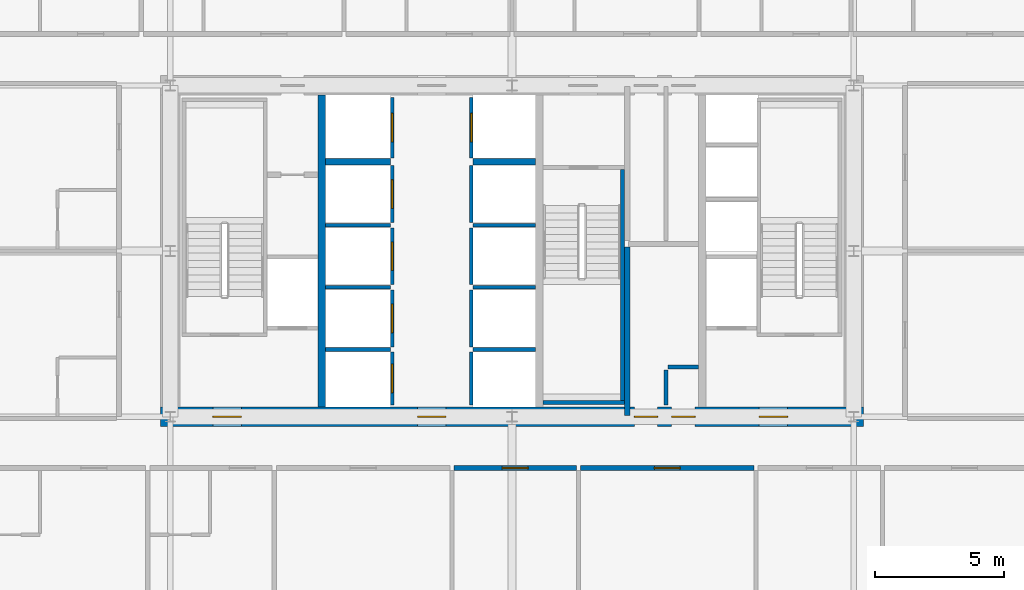
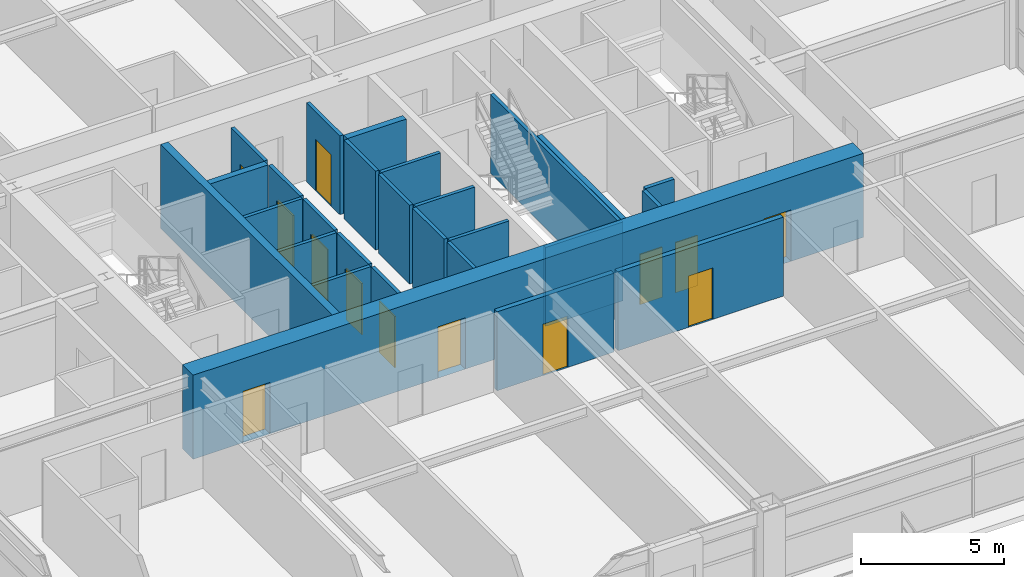
# One storey, part 39 of 43: 27 walls, 13 doors, 13 openings.
"""IFC4 building model written with IfcOpenShell, lengths in metres."""

import ifcopenshell
import ifcopenshell.guid

model = None  # the IFC model being written
_history = None  # IfcOwnerHistory: only IFC2X3 demands one
_inside = {}  # id of a spatial element -> (the spatial element, [elements in it])
_under = {}  # id of a project, library or spatial element -> (it, [spatial elements below it])
_declared = {}  # id of a project -> (the project, [libraries it declares])
_typed = {}  # id of a type object -> (the type object, [elements of that type])
_made_of = {}  # id of a material, layer set ... -> (it, [elements and type objects made of it])


def new_model(schema):
    """Start an empty IFC model of exactly this schema.

    Asked for "IFC4X3", IfcOpenShell would pick the latest addendum, in which some entities
    have other attributes; the version numbers below select the first issue.
    IFC2X3 requires an IfcOwnerHistory on every rooted entity: one is made here for all.
    """
    global model, _history
    if schema == "IFC4X3":
        model = ifcopenshell.file(schema_version=(4, 3, 0, 0))
    else:
        model = ifcopenshell.file(schema=schema)
    _inside.clear()
    _under.clear()
    _declared.clear()
    _typed.clear()
    _made_of.clear()
    _history = None
    if model.schema == "IFC2X3":
        org = make("IfcOrganization", Name="unknown")
        user = make(
            "IfcPersonAndOrganization",
            ThePerson=make("IfcPerson", FamilyName="unknown"),
            TheOrganization=org,
        )
        app = make(
            "IfcApplication",
            ApplicationDeveloper=org,
            Version="unknown",
            ApplicationFullName="unknown",
            ApplicationIdentifier="unknown",
        )
        _history = make(
            "IfcOwnerHistory",
            OwningUser=user,
            OwningApplication=app,
            ChangeAction="ADDED",
            CreationDate=0,
        )
    return model


def make(cls, **values):
    """One entity of the class cls with the attributes given. An attribute that is None is left unset."""
    return model.create_entity(
        cls, **{name: value for name, value in values.items() if value is not None}
    )


def rooted(cls, **values):
    """An entity with a GlobalId (a new one), such as an element, a storey or a relation."""
    return make(cls, GlobalId=ifcopenshell.guid.new(), OwnerHistory=_history, **values)


def si_unit(unit_type, name, prefix=None):
    """IfcSIUnit, for example si_unit("LENGTHUNIT", "METRE", prefix="MILLI")."""
    return make("IfcSIUnit", UnitType=unit_type, Prefix=prefix, Name=name)


def assignment(units):
    """IfcUnitAssignment: the units of a project."""
    return None if units is None else make("IfcUnitAssignment", Units=units)


def point(xyz):
    """IfcCartesianPoint."""
    return None if xyz is None else make("IfcCartesianPoint", Coordinates=xyz)


def direction(xyz):
    """IfcDirection."""
    return None if xyz is None else make("IfcDirection", DirectionRatios=xyz)


def frame(location, z_axis=None, x_axis=None):
    """IfcAxis2Placement3D, a coordinate frame: its origin and axes. An axis left out is left unset."""
    return make(
        "IfcAxis2Placement3D",
        Location=point(location),
        Axis=direction(z_axis),
        RefDirection=direction(x_axis),
    )


def frame_2d(location, x_axis=None):
    """IfcAxis2Placement2D, a coordinate frame in the plane: its origin and x axis."""
    return make(
        "IfcAxis2Placement2D", Location=point(location), RefDirection=direction(x_axis)
    )


def origin():
    """The frame at (0, 0, 0) with its axes left unset."""
    return frame((0.0, 0.0, 0.0))


def place(relative_to, where):
    """IfcLocalPlacement: puts the frame where relative to a parent placement (None: the world)."""
    return make(
        "IfcLocalPlacement", PlacementRelTo=relative_to, RelativePlacement=where
    )


def context(
    kind, dimensions, precision=None, world=None, true_north=None, identifier=None
):
    """IfcGeometricRepresentationContext, for example the 3D "Model" context."""
    return make(
        "IfcGeometricRepresentationContext",
        ContextIdentifier=identifier,
        ContextType=kind,
        CoordinateSpaceDimension=dimensions,
        Precision=precision,
        WorldCoordinateSystem=world,
        TrueNorth=true_north,
    )


def subcontext(parent, identifier, kind, view, scale=None):
    """IfcGeometricRepresentationSubContext, for example "Body" below "Model"."""
    return make(
        "IfcGeometricRepresentationSubContext",
        ContextIdentifier=identifier,
        ContextType=kind,
        ParentContext=parent,
        TargetScale=scale,
        TargetView=view,
    )


def project(units=None, contexts=None):
    """IfcProject with its units and contexts."""
    return rooted(
        "IfcProject",
        Name="project",
        RepresentationContexts=contexts,
        UnitsInContext=assignment(units),
    )


def spatial(cls, under=None, at=None, **own):
    """A site, building, storey or space (cls), placed at a placement, below another one or the project."""
    s = rooted(cls, ObjectPlacement=at, **own)
    if under is not None:
        _under.setdefault(under.id(), (under, []))[1].append(s)
    return s


def profile(cls, at=None, kind="AREA", **sizes):
    """A parametric profile (cls). Its sizes go by their IFC names, for example OverallWidth=200.0."""
    return make(cls, ProfileType=kind, Position=at, **sizes)


def rectangle(**sizes):
    """IfcRectangleProfileDef."""
    return profile("IfcRectangleProfileDef", **sizes)


def extrude(swept, where, along, depth):
    """IfcExtrudedAreaSolid: the profile swept, set in the frame where, extruded along a direction by depth."""
    return make(
        "IfcExtrudedAreaSolid",
        SweptArea=swept,
        Position=where,
        ExtrudedDirection=direction(along),
        Depth=depth,
    )


def shape(context_of_items, identifier, shape_type, items):
    """IfcShapeRepresentation: the items that make up one representation, for example the "Body"."""
    return make(
        "IfcShapeRepresentation",
        ContextOfItems=context_of_items,
        RepresentationIdentifier=identifier,
        RepresentationType=shape_type,
        Items=items,
    )


def source(mapping_origin, context_of_items, identifier, shape_type, items):
    """IfcRepresentationMap: a shape defined once, which mapped items show again and again."""
    return make(
        "IfcRepresentationMap",
        MappingOrigin=mapping_origin,
        MappedRepresentation=shape(context_of_items, identifier, shape_type, items),
    )


def transform(
    local_origin,
    x_axis=None,
    y_axis=None,
    z_axis=None,
    scale=None,
    scale2=None,
    scale3=None,
    uniform=True,
):
    """IfcCartesianTransformationOperator3D, or its non-uniform kind. x_axis, y_axis, z_axis: its Axis1, 2, 3."""
    if uniform:
        return make(
            "IfcCartesianTransformationOperator3D",
            Axis1=direction(x_axis),
            Axis2=direction(y_axis),
            LocalOrigin=point(local_origin),
            Scale=scale,
            Axis3=direction(z_axis),
        )
    return make(
        "IfcCartesianTransformationOperator3DnonUniform",
        Axis1=direction(x_axis),
        Axis2=direction(y_axis),
        LocalOrigin=point(local_origin),
        Scale=scale,
        Axis3=direction(z_axis),
        Scale2=scale2,
        Scale3=scale3,
    )


def mapped(mapping_source, mapping_target):
    """IfcMappedItem: shows the shape of a source again, moved by a transform."""
    return make(
        "IfcMappedItem", MappingSource=mapping_source, MappingTarget=mapping_target
    )


def material(Name=None, Category=None):
    """IfcMaterial."""
    return make("IfcMaterial", Name=Name, Category=Category)


def layer(
    of_material, thickness, ventilated=None, Name=None, Category=None, Priority=None
):
    """IfcMaterialLayer: one layer of a wall or slab, of a material (None: an air gap)."""
    return make(
        "IfcMaterialLayer",
        Material=of_material,
        LayerThickness=thickness,
        IsVentilated=ventilated,
        Name=Name,
        Category=Category,
        Priority=Priority,
    )


def layer_set(layers, Name=None):
    """IfcMaterialLayerSet."""
    return make("IfcMaterialLayerSet", MaterialLayers=layers, LayerSetName=Name)


def made_of(thing, what):
    """Note that an element or type object is made of a material, layer set ...; save() writes the relation."""
    if what is not None:
        _made_of.setdefault(what.id(), (what, []))[1].append(thing)
    return thing


def type_object(cls, material=None, **own):
    """A type object (cls), such as IfcWallType, which elements share."""
    return made_of(rooted(cls, **own), material)


def element(
    cls,
    number,
    at=None,
    inside=None,
    cuts=None,
    type_object=None,
    material=None,
    context=None,
    identifier="Body",
    shape_type=None,
    held_by="IfcProductDefinitionShape",
    body=None,
    shapes=None,
    **own,
):
    """One element of the class cls, such as IfcWall. Its Tag is "e" and its number.

    at: its placement. inside: the storey or other place that contains it. cuts: it is an
    opening in that element (IfcRelVoidsElement). A single representation is given by context,
    identifier, shape_type and body (its items); several are given by shapes. held_by: the class
    of the entity that holds the representations. save() writes the other relations.
    """
    e = rooted(cls, Tag="e%d" % number, ObjectPlacement=at, **own)
    if body is not None:
        shapes = [shape(context, identifier, shape_type, body)]
    if shapes is not None:
        e.Representation = make(held_by, Representations=shapes)
    if inside is not None:
        _inside.setdefault(inside.id(), (inside, []))[1].append(e)
    if cuts is not None:
        rooted(
            "IfcRelVoidsElement", RelatingBuildingElement=cuts, RelatedOpeningElement=e
        )
    if type_object is not None:
        _typed.setdefault(type_object.id(), (type_object, []))[1].append(e)
    return made_of(e, material)


def fill(opening, filler):
    """IfcRelFillsElement: the door or window that sits in an opening."""
    return rooted(
        "IfcRelFillsElement",
        RelatingOpeningElement=opening,
        RelatedBuildingElement=filler,
    )


def aggregate(whole, parts):
    """IfcRelAggregates: a whole, such as a stair, and the parts it consists of."""
    return rooted("IfcRelAggregates", RelatingObject=whole, RelatedObjects=parts)


def save(model, path):
    """Write the relations noted so far, then the file.

    IfcRelAggregates (storeys below a building ...), IfcRelContainedInSpatialStructure (elements
    in a storey), IfcRelDefinesByType, IfcRelAssociatesMaterial and IfcRelDeclares: one each for
    every whole, place, type object, material and project.
    """
    for whole, parts in _under.values():
        aggregate(whole, parts)
    for where, things in _inside.values():
        rooted(
            "IfcRelContainedInSpatialStructure",
            RelatedElements=things,
            RelatingStructure=where,
        )
    for kind, things in _typed.values():
        rooted("IfcRelDefinesByType", RelatedObjects=things, RelatingType=kind)
    for what, things in _made_of.values():
        rooted("IfcRelAssociatesMaterial", RelatedObjects=things, RelatingMaterial=what)
    for by, libraries in _declared.values():
        rooted("IfcRelDeclares", RelatingContext=by, RelatedDefinitions=libraries)
    model.write(path)


model = new_model("IFC4")

# Units and contexts
model_context = context("Model", 3, precision=1e-05, world=origin(), true_north=direction((0.0, 1.0)))
body_context = subcontext(model_context, "Body", "Model", "MODEL_VIEW")
ifc_project = project(units=[si_unit("LENGTHUNIT", "METRE"), si_unit("AREAUNIT", "SQUARE_METRE"), si_unit("VOLUMEUNIT", "CUBIC_METRE"), si_unit("PLANEANGLEUNIT", "RADIAN"), si_unit("MASSUNIT", "GRAM", prefix="KILO"), si_unit("THERMODYNAMICTEMPERATUREUNIT", "KELVIN"), si_unit("POWERUNIT", "WATT")], contexts=[model_context])

# Site, building, storey
site_placement = place(None, origin())
site = spatial("IfcSite", under=ifc_project, at=site_placement, CompositionType="ELEMENT")
building_placement = place(site_placement, origin())
building = spatial("IfcBuilding", under=site, at=building_placement, Name="Yuzanri Waterfront Tower", CompositionType="ELEMENT")
storey_placement = place(building_placement, frame((0.0, 0.0, 159.60009765625)))
storey = spatial("IfcBuildingStorey", under=building, at=storey_placement, Name="L42", CompositionType="ELEMENT", Elevation=159.60009765625)

# Wall, openings, doors
ifc_material_1 = material(Name="Concrete C55", Category="concrete")
ifc_layer_1 = layer(ifc_material_1, 0.75)
ifc_layer_set_1 = layer_set([ifc_layer_1], Name="Concrete C55")
wall_type_1 = type_object("IfcWallType", Name="Concrete C55 Low-Mid Zone Core Shear Wall 750", PredefinedType="SHEAR", material=ifc_layer_set_1)
wall_1_placement = place(storey_placement, frame((23.425048828125, 19.39990234375, 0.0), z_axis=(0.0, 0.0, 1.0), x_axis=(1.0, 0.0, 0.0)))
wall_1 = element("IfcWall", 1, at=wall_1_placement, inside=storey, type_object=wall_type_1, Name="L42 Core South Shear Wall", PredefinedType="SHEAR", context=body_context, shape_type="SweptSolid", body=[
    extrude(rectangle(XDim=27.14990234375, YDim=0.75, at=frame_2d((13.574951171875, 0.0))), origin(), (0.0, 0.0, 1.0), 3.599853515625),
])
opening_1_placement = place(wall_1_placement, frame((2.02490234375, 0.0, 0.0)))
opening_1 = element("IfcOpeningElement", 2, at=opening_1_placement, cuts=wall_1, Name="Opening FD-1100", PredefinedType="OPENING", context=body_context, shape_type="SweptSolid", body=[
    extrude(rectangle(XDim=1.10009765625, YDim=2.199951171875, at=frame_2d((0.550048828125, 1.10009765625))), frame((0.0, 0.389892578125, 0.0), z_axis=(0.0, -1.0, 0.0), x_axis=(1.0, 0.0, 0.0)), (0.0, 0.0, 1.0), 0.77978515625),
])
opening_2_placement = place(wall_1_placement, frame((9.925048828125, 0.0, 0.0)))
opening_2 = element("IfcOpeningElement", 3, at=opening_2_placement, cuts=wall_1, Name="Opening FD-1100", PredefinedType="OPENING", context=body_context, shape_type="SweptSolid", body=[
    extrude(rectangle(XDim=1.10009765625, YDim=2.199951171875, at=frame_2d((0.550048828125, 1.10009765625))), frame((0.0, 0.389892578125, 0.0), z_axis=(0.0, -1.0, 0.0), x_axis=(1.0, 0.0, 0.0)), (0.0, 0.0, 1.0), 0.77978515625),
])
opening_3_placement = place(wall_1_placement, frame((23.125, 0.0, 0.0)))
opening_3 = element("IfcOpeningElement", 4, at=opening_3_placement, cuts=wall_1, Name="Opening FD-1100", PredefinedType="OPENING", context=body_context, shape_type="SweptSolid", body=[
    extrude(rectangle(XDim=1.10009765625, YDim=2.199951171875, at=frame_2d((0.550048828125, 1.10009765625))), frame((0.0, 0.389892578125, 0.0), z_axis=(0.0, -1.0, 0.0), x_axis=(1.0, 0.0, 0.0)), (0.0, 0.0, 1.0), 0.77978515625),
])
opening_4_placement = place(wall_1_placement, frame((19.7451171875, 0.0, 0.0)))
opening_4 = element("IfcOpeningElement", 5, at=opening_4_placement, cuts=wall_1, Name="Opening FD-0900", PredefinedType="OPENING", context=body_context, shape_type="SweptSolid", body=[
    extrude(rectangle(XDim=0.89990234375, YDim=2.14990234375, at=frame_2d((0.449951171875, 1.074951171875))), frame((0.0, 0.389892578125, 0.0), z_axis=(0.0, -1.0, 0.0), x_axis=(1.0, 0.0, 0.0)), (0.0, 0.0, 1.0), 0.77978515625),
])
opening_5_placement = place(wall_1_placement, frame((18.304931640625, 0.0, 0.0)))
opening_5 = element("IfcOpeningElement", 6, at=opening_5_placement, cuts=wall_1, Name="Opening FD-0900", PredefinedType="OPENING", context=body_context, shape_type="SweptSolid", body=[
    extrude(rectangle(XDim=0.89990234375, YDim=2.14990234375, at=frame_2d((0.449951171875, 1.074951171875))), frame((0.0, 0.389892578125, 0.0), z_axis=(0.0, -1.0, 0.0), x_axis=(1.0, 0.0, 0.0)), (0.0, 0.0, 1.0), 0.77978515625),
])
ifc_material_2 = material(Name="Painted Galvanized Fire Steel", Category="steel")
door_type_1 = type_object("IfcDoorType", Name="Smoke-Proof Stair and Lobby Fire Door 1100x2200", OperationType="NOTDEFINED", PredefinedType="DOOR", material=ifc_material_2)
shared_shape_1 = source(origin(), body_context, "Body", "SweptSolid", [
    extrude(rectangle(XDim=1.10009765625, YDim=2.199951171875, at=frame_2d((0.550048828125, 1.10009765625))), frame((0.0, 0.02490234375, 0.0), z_axis=(0.0, -1.0, 0.0), x_axis=(1.0, 0.0, 0.0)), (0.0, 0.0, 1.0), 0.050048828125),
])
door_1_placement = place(opening_1_placement, origin())
door_1 = element("IfcDoor", 7, at=door_1_placement, inside=storey, type_object=door_type_1, Name="L42 West Firefighting Lobby Door", OperationType="SINGLE_SWING_LEFT", OverallHeight=2.199951171875, OverallWidth=1.10009765625, PredefinedType="DOOR", context=body_context, shape_type="MappedRepresentation", body=[
    mapped(shared_shape_1, transform((0.0, 0.0, 0.0), scale=1.0)),
])
fill(opening_1, door_1)
door_2_placement = place(opening_2_placement, origin())
door_2 = element("IfcDoor", 8, at=door_2_placement, inside=storey, type_object=door_type_1, Name="L42 Central Lift Lobby South Door", OperationType="SINGLE_SWING_RIGHT", OverallHeight=2.199951171875, OverallWidth=1.10009765625, PredefinedType="DOOR", context=body_context, shape_type="MappedRepresentation", body=[
    mapped(shared_shape_1, transform((0.0, 0.0, 0.0), scale=1.0)),
])
fill(opening_2, door_2)
door_3_placement = place(opening_3_placement, origin())
door_3 = element("IfcDoor", 9, at=door_3_placement, inside=storey, type_object=door_type_1, Name="L42 East Firefighting Lobby Door", OperationType="SINGLE_SWING_LEFT", OverallHeight=2.199951171875, OverallWidth=1.10009765625, PredefinedType="DOOR", context=body_context, shape_type="MappedRepresentation", body=[
    mapped(shared_shape_1, transform((0.0, 0.0, 0.0), scale=1.0)),
])
fill(opening_3, door_3)
ifc_material_3 = material(Name="Painted Galvanized Fire Steel", Category="steel")
door_type_2 = type_object("IfcDoorType", Name="Riser and Service Room Fire Door 900x2150", OperationType="NOTDEFINED", PredefinedType="DOOR", material=ifc_material_3)
shared_shape_2 = source(origin(), body_context, "Body", "SweptSolid", [
    extrude(rectangle(XDim=0.89990234375, YDim=2.14990234375, at=frame_2d((0.449951171875, 1.074951171875))), frame((0.0, 0.02490234375, 0.0), z_axis=(0.0, -1.0, 0.0), x_axis=(1.0, 0.0, 0.0)), (0.0, 0.0, 1.0), 0.050048828125),
])
door_4_placement = place(opening_4_placement, origin())
door_4 = element("IfcDoor", 10, at=door_4_placement, inside=storey, type_object=door_type_2, Name="L42 East Wet Riser Door", OperationType="SINGLE_SWING_RIGHT", OverallHeight=2.14990234375, OverallWidth=0.89990234375, PredefinedType="DOOR", context=body_context, shape_type="MappedRepresentation", body=[
    mapped(shared_shape_2, transform((0.0, 0.0, 0.0), scale=1.0)),
])
fill(opening_4, door_4)
door_5_placement = place(opening_5_placement, origin())
door_5 = element("IfcDoor", 11, at=door_5_placement, inside=storey, type_object=door_type_2, Name="L42 Housekeeping Room", OperationType="SINGLE_SWING_LEFT", OverallHeight=2.14990234375, OverallWidth=0.89990234375, PredefinedType="DOOR", context=body_context, shape_type="MappedRepresentation", body=[
    mapped(shared_shape_2, transform((0.0, 0.0, 0.0), scale=1.0)),
])
fill(opening_5, door_5)

# Wall, opening, door
ifc_material_4 = material(Name="Concrete C40", Category="concrete")
ifc_layer_2 = layer(ifc_material_4, 0.139892578125)
ifc_layer_set_2 = layer_set([ifc_layer_2], Name="Concrete C40")
wall_type_2 = type_object("IfcWallType", Name="Core Stair Liner and Hoistway Shaft Wall 140", PredefinedType="SOLIDWALL", material=ifc_layer_set_2)
wall_2_placement = place(storey_placement, frame((32.3701171875, 19.860107421875, 0.0), z_axis=(0.0, 0.0, 1.0), x_axis=(0.0, 1.0, 0.0)))
wall_2 = element("IfcWall", 12, at=wall_2_placement, inside=storey, type_object=wall_type_2, Name="L42 Lift PL-01 Front Shaft Wall", PredefinedType="SOLIDWALL", context=body_context, shape_type="SweptSolid", body=[
    extrude(rectangle(XDim=2.039794921875, YDim=0.139892578125, at=frame_2d((1.02001953125, 0.0))), origin(), (0.0, 0.0, 1.0), 3.3798828125),
])
opening_6_placement = place(wall_2_placement, frame((0.469970703125, 0.0, 0.0)))
opening_6 = element("IfcOpeningElement", 13, at=opening_6_placement, cuts=wall_2, Name="Opening LD-PL-01", PredefinedType="OPENING", context=body_context, shape_type="SweptSolid", body=[
    extrude(rectangle(XDim=1.10009765625, YDim=2.199951171875, at=frame_2d((0.550048828125, 1.10009765625))), frame((0.0, 0.0849609375, 0.0), z_axis=(0.0, -1.0, 0.0), x_axis=(1.0, 0.0, 0.0)), (0.0, 0.0, 1.0), 0.169677734375),
])
ifc_material_5 = material(Name="Brushed Bronze and Stainless Steel Cab", Category="steel")
door_type_3 = type_object("IfcDoorType", Name="Center-Parting Bronze Lift Landing Sliding Door 1100x2200", OperationType="NOTDEFINED", PredefinedType="DOOR", material=ifc_material_5)
shared_shape_3 = source(origin(), body_context, "Body", "SweptSolid", [
    extrude(rectangle(XDim=1.10009765625, YDim=2.199951171875, at=frame_2d((0.550048828125, 1.10009765625))), frame((0.0, 0.02490234375, 0.0), z_axis=(0.0, -1.0, 0.0), x_axis=(1.0, 0.0, 0.0)), (0.0, 0.0, 1.0), 0.050048828125),
])
door_6_placement = place(opening_6_placement, origin())
door_6 = element("IfcDoor", 14, at=door_6_placement, inside=storey, type_object=door_type_3, Name="L42 PL-01 Lift Landing Sliding Door", OperationType="SLIDING_TO_LEFT", OverallHeight=2.199951171875, OverallWidth=1.10009765625, PredefinedType="DOOR", context=body_context, shape_type="MappedRepresentation", body=[
    mapped(shared_shape_3, transform((0.0, 0.0, 0.0), scale=1.0)),
])
fill(opening_6, door_6)

wall_3_placement = place(storey_placement, frame((32.3701171875, 22.10009765625, 0.0), z_axis=(0.0, 0.0, 1.0), x_axis=(0.0, 1.0, 0.0)))
wall_3 = element("IfcWall", 15, at=wall_3_placement, inside=storey, type_object=wall_type_2, Name="L42 Lift PL-02 Front Shaft Wall", PredefinedType="SOLIDWALL", context=body_context, shape_type="SweptSolid", body=[
    extrude(rectangle(XDim=2.199951171875, YDim=0.139892578125, at=frame_2d((1.10009765625, 0.0))), origin(), (0.0, 0.0, 1.0), 3.3798828125),
])
opening_7_placement = place(wall_3_placement, frame((0.550048828125, 0.0, 0.0)))
opening_7 = element("IfcOpeningElement", 16, at=opening_7_placement, cuts=wall_3, Name="Opening LD-PL-02", PredefinedType="OPENING", context=body_context, shape_type="SweptSolid", body=[
    extrude(rectangle(XDim=1.10009765625, YDim=2.199951171875, at=frame_2d((0.550048828125, 1.10009765625))), frame((0.0, 0.0849609375, 0.0), z_axis=(0.0, -1.0, 0.0), x_axis=(1.0, 0.0, 0.0)), (0.0, 0.0, 1.0), 0.169677734375),
])
door_7_placement = place(opening_7_placement, origin())
door_7 = element("IfcDoor", 17, at=door_7_placement, inside=storey, type_object=door_type_3, Name="L42 PL-02 Lift Landing Sliding Door", OperationType="SLIDING_TO_RIGHT", OverallHeight=2.199951171875, OverallWidth=1.10009765625, PredefinedType="DOOR", context=body_context, shape_type="MappedRepresentation", body=[
    mapped(shared_shape_3, transform((0.0, 0.0, 0.0), scale=1.0)),
])
fill(opening_7, door_7)

wall_4_placement = place(storey_placement, frame((32.3701171875, 24.5, 0.0), z_axis=(0.0, 0.0, 1.0), x_axis=(0.0, 1.0, 0.0)))
wall_4 = element("IfcWall", 18, at=wall_4_placement, inside=storey, type_object=wall_type_2, Name="L42 Lift PL-03 Front Shaft Wall", PredefinedType="SOLIDWALL", context=body_context, shape_type="SweptSolid", body=[
    extrude(rectangle(XDim=2.199951171875, YDim=0.139892578125, at=frame_2d((1.10009765625, 0.0))), origin(), (0.0, 0.0, 1.0), 3.3798828125),
])
opening_8_placement = place(wall_4_placement, frame((0.550048828125, 0.0, 0.0)))
opening_8 = element("IfcOpeningElement", 19, at=opening_8_placement, cuts=wall_4, Name="Opening LD-PL-03", PredefinedType="OPENING", context=body_context, shape_type="SweptSolid", body=[
    extrude(rectangle(XDim=1.10009765625, YDim=2.199951171875, at=frame_2d((0.550048828125, 1.10009765625))), frame((0.0, 0.0849609375, 0.0), z_axis=(0.0, -1.0, 0.0), x_axis=(1.0, 0.0, 0.0)), (0.0, 0.0, 1.0), 0.169677734375),
])
door_8_placement = place(opening_8_placement, origin())
door_8 = element("IfcDoor", 20, at=door_8_placement, inside=storey, type_object=door_type_3, Name="L42 PL-03 Lift Landing Sliding Door", OperationType="SLIDING_TO_LEFT", OverallHeight=2.199951171875, OverallWidth=1.10009765625, PredefinedType="DOOR", context=body_context, shape_type="MappedRepresentation", body=[
    mapped(shared_shape_3, transform((0.0, 0.0, 0.0), scale=1.0)),
])
fill(opening_8, door_8)

wall_5_placement = place(storey_placement, frame((32.3701171875, 26.89990234375, 0.0), z_axis=(0.0, 0.0, 1.0), x_axis=(0.0, 1.0, 0.0)))
wall_5 = element("IfcWall", 21, at=wall_5_placement, inside=storey, type_object=wall_type_2, Name="L42 Lift PL-04 Front Shaft Wall", PredefinedType="SOLIDWALL", context=body_context, shape_type="SweptSolid", body=[
    extrude(rectangle(XDim=2.2001953125, YDim=0.139892578125, at=frame_2d((1.10009765625, 0.0))), origin(), (0.0, 0.0, 1.0), 3.3798828125),
])
opening_9_placement = place(wall_5_placement, frame((0.550048828125, 0.0, 0.0)))
opening_9 = element("IfcOpeningElement", 22, at=opening_9_placement, cuts=wall_5, Name="Opening LD-PL-04", PredefinedType="OPENING", context=body_context, shape_type="SweptSolid", body=[
    extrude(rectangle(XDim=1.10009765625, YDim=2.199951171875, at=frame_2d((0.550048828125, 1.10009765625))), frame((0.0, 0.0849609375, 0.0), z_axis=(0.0, -1.0, 0.0), x_axis=(1.0, 0.0, 0.0)), (0.0, 0.0, 1.0), 0.169677734375),
])
door_9_placement = place(opening_9_placement, origin())
door_9 = element("IfcDoor", 23, at=door_9_placement, inside=storey, type_object=door_type_3, Name="L42 PL-04 Lift Landing Sliding Door", OperationType="SLIDING_TO_RIGHT", OverallHeight=2.199951171875, OverallWidth=1.10009765625, PredefinedType="DOOR", context=body_context, shape_type="MappedRepresentation", body=[
    mapped(shared_shape_3, transform((0.0, 0.0, 0.0), scale=1.0)),
])
fill(opening_9, door_9)

wall_6_placement = place(storey_placement, frame((32.3701171875, 29.39990234375, 0.0), z_axis=(0.0, 0.0, 1.0), x_axis=(0.0, 1.0, 0.0)))
wall_6 = element("IfcWall", 24, at=wall_6_placement, inside=storey, type_object=wall_type_2, Name="L42 Lift SL-01 Front Shaft Wall", PredefinedType="SOLIDWALL", context=body_context, shape_type="SweptSolid", body=[
    extrude(rectangle(XDim=2.340087890625, YDim=0.139892578125, at=frame_2d((1.169921875, 0.0))), origin(), (0.0, 0.0, 1.0), 3.3798828125),
])
opening_10_placement = place(wall_6_placement, frame((0.6201171875, 0.0, 0.0)))
opening_10 = element("IfcOpeningElement", 25, at=opening_10_placement, cuts=wall_6, Name="Opening LD-SL-01", PredefinedType="OPENING", context=body_context, shape_type="SweptSolid", body=[
    extrude(rectangle(XDim=1.10009765625, YDim=2.199951171875, at=frame_2d((0.550048828125, 1.10009765625))), frame((0.0, 0.0849609375, 0.0), z_axis=(0.0, -1.0, 0.0), x_axis=(1.0, 0.0, 0.0)), (0.0, 0.0, 1.0), 0.169677734375),
])
door_10_placement = place(opening_10_placement, origin())
door_10 = element("IfcDoor", 26, at=door_10_placement, inside=storey, type_object=door_type_3, Name="L42 SL-01 Lift Landing Sliding Door", OperationType="SLIDING_TO_LEFT", OverallHeight=2.199951171875, OverallWidth=1.10009765625, PredefinedType="DOOR", context=body_context, shape_type="MappedRepresentation", body=[
    mapped(shared_shape_3, transform((0.0, 0.0, 0.0), scale=1.0)),
])
fill(opening_10, door_10)

wall_7_placement = place(storey_placement, frame((35.429931640625, 29.39990234375, 0.0), z_axis=(0.0, 0.0, 1.0), x_axis=(0.0, 1.0, 0.0)))
wall_7 = element("IfcWall", 27, at=wall_7_placement, inside=storey, type_object=wall_type_2, Name="L42 Lift SL-02 Front Shaft Wall", PredefinedType="SOLIDWALL", context=body_context, shape_type="SweptSolid", body=[
    extrude(rectangle(XDim=2.340087890625, YDim=0.139892578125, at=frame_2d((1.169921875, 0.0))), origin(), (0.0, 0.0, 1.0), 3.3798828125),
])
opening_11_placement = place(wall_7_placement, frame((0.6201171875, 0.0, 0.0)))
opening_11 = element("IfcOpeningElement", 28, at=opening_11_placement, cuts=wall_7, Name="Opening LD-SL-02", PredefinedType="OPENING", context=body_context, shape_type="SweptSolid", body=[
    extrude(rectangle(XDim=1.10009765625, YDim=2.199951171875, at=frame_2d((0.550048828125, 1.10009765625))), frame((0.0, 0.0849609375, 0.0), z_axis=(0.0, -1.0, 0.0), x_axis=(1.0, 0.0, 0.0)), (0.0, 0.0, 1.0), 0.169677734375),
])
door_11_placement = place(opening_11_placement, origin())
door_11 = element("IfcDoor", 29, at=door_11_placement, inside=storey, type_object=door_type_3, Name="L42 SL-02 Lift Landing Sliding Door", OperationType="SLIDING_TO_RIGHT", OverallHeight=2.199951171875, OverallWidth=1.10009765625, PredefinedType="DOOR", context=body_context, shape_type="MappedRepresentation", body=[
    mapped(shared_shape_3, transform((0.0, 0.0, 0.0), scale=1.0)),
])
fill(opening_11, door_11)

ifc_material_6 = material(Name="Autoclaved Aerated Concrete Blockwork", Category="masonry")
ifc_layer_3 = layer(ifc_material_6, 0.199951171875)
ifc_layer_set_3 = layer_set([ifc_layer_3], Name="Autoclaved Aerated Concrete Blockwork")
wall_type_3 = type_object("IfcWallType", Name="Corridor and Unit Party Fire Wall 200", PredefinedType="PARTITIONING", material=ifc_layer_set_3)
wall_8_placement = place(storey_placement, frame((34.760009765625, 17.419921875, 0.0), z_axis=(0.0, 0.0, 1.0), x_axis=(1.0, 0.0, 0.0)))
wall_8 = element("IfcWall", 30, at=wall_8_placement, inside=storey, type_object=wall_type_3, Name="L42 Partition UW-L42-S4-CN", PredefinedType="PARTITIONING", context=body_context, shape_type="SweptSolid", body=[
    extrude(rectangle(XDim=4.72705078125, YDim=0.199951171875, at=frame_2d((2.363525390625, 0.0))), origin(), (0.0, 0.0, 1.0), 3.3798828125),
])
opening_12_placement = place(wall_8_placement, frame((1.863037109375, 0.0, 0.0)))
opening_12 = element("IfcOpeningElement", 31, at=opening_12_placement, cuts=wall_8, Name="Opening FD-1000", PredefinedType="OPENING", context=body_context, shape_type="SweptSolid", body=[
    extrude(rectangle(XDim=1.0, YDim=2.199951171875, at=frame_2d((0.5, 1.10009765625))), frame((0.0, 0.11474609375, 0.0), z_axis=(0.0, -1.0, 0.0), x_axis=(1.0, 0.0, 0.0)), (0.0, 0.0, 1.0), 0.229736328125),
])
ifc_material_7 = material(Name="Engineered Oak Fire-Rated Timber", Category="wood")
door_type_4 = type_object("IfcDoorType", Name="Guestroom and Apartment Entrance Fire Door 1000x2200", OperationType="NOTDEFINED", PredefinedType="DOOR", material=ifc_material_7)
shared_shape_4 = source(origin(), body_context, "Body", "SweptSolid", [
    extrude(rectangle(XDim=1.0, YDim=2.199951171875, at=frame_2d((0.5, 1.10009765625))), frame((0.0, 0.02490234375, 0.0), z_axis=(0.0, -1.0, 0.0), x_axis=(1.0, 0.0, 0.0)), (0.0, 0.0, 1.0), 0.050048828125),
])
door_12_placement = place(opening_12_placement, origin())
door_12 = element("IfcDoor", 32, at=door_12_placement, inside=storey, type_object=door_type_4, Name="L42 Chamber Music Room Entrance Door", OperationType="SINGLE_SWING_LEFT", OverallHeight=2.199951171875, OverallWidth=1.0, PredefinedType="DOOR", context=body_context, shape_type="MappedRepresentation", body=[
    mapped(shared_shape_4, transform((0.0, 0.0, 0.0), scale=1.0)),
])
fill(opening_12, door_12)

wall_9_placement = place(storey_placement, frame((39.64697265625, 17.419921875, 0.0), z_axis=(0.0, 0.0, 1.0), x_axis=(1.0, 0.0, 0.0)))
wall_9 = element("IfcWall", 33, at=wall_9_placement, inside=storey, type_object=wall_type_3, Name="L42 Partition UW-L42-S5-CN", PredefinedType="PARTITIONING", context=body_context, shape_type="SweptSolid", body=[
    extrude(rectangle(XDim=6.700927734375, YDim=0.199951171875, at=frame_2d((3.3505859375, 0.0))), origin(), (0.0, 0.0, 1.0), 3.3798828125),
])
opening_13_placement = place(wall_9_placement, frame((2.85107421875, 0.0, 0.0)))
opening_13 = element("IfcOpeningElement", 34, at=opening_13_placement, cuts=wall_9, Name="Opening FD-1000", PredefinedType="OPENING", context=body_context, shape_type="SweptSolid", body=[
    extrude(rectangle(XDim=1.0, YDim=2.199951171875, at=frame_2d((0.5, 1.10009765625))), frame((0.0, 0.11474609375, 0.0), z_axis=(0.0, -1.0, 0.0), x_axis=(1.0, 0.0, 0.0)), (0.0, 0.0, 1.0), 0.229736328125),
])
door_13_placement = place(opening_13_placement, origin())
door_13 = element("IfcDoor", 35, at=door_13_placement, inside=storey, type_object=door_type_4, Name="L42 Riverfront Art Gallery Entrance Door", OperationType="SINGLE_SWING_RIGHT", OverallHeight=2.199951171875, OverallWidth=1.0, PredefinedType="DOOR", context=body_context, shape_type="MappedRepresentation", body=[
    mapped(shared_shape_4, transform((0.0, 0.0, 0.0), scale=1.0)),
])
fill(opening_13, door_13)

# Walls
ifc_material_8 = material(Name="Concrete C50", Category="concrete")
ifc_layer_4 = layer(ifc_material_8, 0.300048828125)
ifc_layer_set_4 = layer_set([ifc_layer_4], Name="Concrete C50")
wall_type_4 = type_object("IfcWallType", Name="Concrete C50 Internal Core Shaft Structural Wall 300", PredefinedType="SOLIDWALL", material=ifc_layer_set_4)
shared_shape_5 = source(origin(), body_context, "Body", "SweptSolid", [
    extrude(rectangle(XDim=12.050048828125, YDim=0.300048828125, at=frame_2d((6.02490234375, 0.0))), origin(), (0.0, 0.0, 1.0), 3.599853515625),
])
wall_10_placement = place(storey_placement, frame((29.64990234375, 19.77490234375, 0.0), z_axis=(0.0, 0.0, 1.0), x_axis=(0.0, 1.0, 0.0)))
element("IfcWall", 36, at=wall_10_placement, inside=storey, type_object=wall_type_4, Name="L42 Core Internal Structural Web Wall 1", PredefinedType="SOLIDWALL", context=body_context, shape_type="MappedRepresentation", body=[
    mapped(shared_shape_5, transform((0.0, 0.0, 0.0), scale=1.0)),
])
shared_shape_6 = source(origin(), body_context, "Body", "SweptSolid", [
    extrude(rectangle(XDim=2.5, YDim=0.139892578125, at=frame_2d((1.25, 0.0))), origin(), (0.0, 0.0, 1.0), 3.3798828125),
])
for number, where, z_axis, x_axis, name in (
    (37, (29.800048828125, 22.0, 0.0), (0.0, 0.0, 1.0), (1.0, 0.0, 0.0), "L42 Lift PL-01 Divider Wall"),
    (38, (29.800048828125, 24.39990234375, 0.0), (0.0, 0.0, 1.0), (1.0, 0.0, 0.0), "L42 Lift PL-02 Divider Wall"),
    (39, (29.800048828125, 26.800048828125, 0.0), (0.0, 0.0, 1.0), (1.0, 0.0, 0.0), "L42 Lift PL-03 Divider Wall"),
):
    element("IfcWall", number, at=place(storey_placement, frame(where, z_axis=z_axis, x_axis=x_axis)), inside=storey, type_object=wall_type_2, Name=name, PredefinedType="SOLIDWALL", context=body_context, shape_type="MappedRepresentation", body=[
        mapped(shared_shape_6, transform((0.0, 0.0, 0.0), scale=1.0)),
    ])
ifc_material_9 = material(Name="Concrete C40", Category="concrete")
ifc_layer_5 = layer(ifc_material_9, 0.25)
ifc_layer_set_5 = layer_set([ifc_layer_5], Name="Concrete C40")
wall_type_5 = type_object("IfcWallType", Name="Smoke-Proof Stair and Lift Shaft Wall 250", PredefinedType="SOLIDWALL", material=ifc_layer_set_5)
shared_shape_7 = source(origin(), body_context, "Body", "SweptSolid", [
    extrude(rectangle(XDim=2.5, YDim=0.25, at=frame_2d((1.25, 0.0))), origin(), (0.0, 0.0, 1.0), 3.3798828125),
])
wall_11_placement = place(storey_placement, frame((29.800048828125, 29.25, 0.0), z_axis=(0.0, 0.0, 1.0), x_axis=(1.0, 0.0, 0.0)))
element("IfcWall", 40, at=wall_11_placement, inside=storey, type_object=wall_type_5, Name="L42 Lift SL-01 South Shaft Wall", PredefinedType="SOLIDWALL", context=body_context, shape_type="MappedRepresentation", body=[
    mapped(shared_shape_7, transform((0.0, 0.0, 0.0), scale=1.0)),
])
shared_shape_8 = source(origin(), body_context, "Body", "SweptSolid", [
    extrude(rectangle(XDim=2.039794921875, YDim=0.139892578125, at=frame_2d((1.02001953125, 0.0))), origin(), (0.0, 0.0, 1.0), 3.3798828125),
])
wall_12_placement = place(storey_placement, frame((35.429931640625, 19.860107421875, 0.0), z_axis=(0.0, 0.0, 1.0), x_axis=(0.0, 1.0, 0.0)))
element("IfcWall", 41, at=wall_12_placement, inside=storey, type_object=wall_type_2, Name="L42 Lift PL-05 Front Shaft Wall", PredefinedType="SOLIDWALL", context=body_context, shape_type="MappedRepresentation", body=[
    mapped(shared_shape_8, transform((0.0, 0.0, 0.0), scale=1.0)),
])
shared_shape_9 = source(origin(), body_context, "Body", "SweptSolid", [
    extrude(rectangle(XDim=2.39990234375, YDim=0.139892578125, at=frame_2d((1.199951171875, 0.0))), origin(), (0.0, 0.0, 1.0), 3.3798828125),
])
for number, where, z_axis, x_axis, name in (
    (42, (35.5, 22.0, 0.0), (0.0, 0.0, 1.0), (1.0, 0.0, 0.0), "L42 Lift PL-05 Divider Wall"),
    (43, (35.5, 24.39990234375, 0.0), (0.0, 0.0, 1.0), (1.0, 0.0, 0.0), "L42 Lift PL-06 Divider Wall"),
    (44, (35.5, 26.800048828125, 0.0), (0.0, 0.0, 1.0), (1.0, 0.0, 0.0), "L42 Lift PL-07 Divider Wall"),
):
    element("IfcWall", number, at=place(storey_placement, frame(where, z_axis=z_axis, x_axis=x_axis)), inside=storey, type_object=wall_type_2, Name=name, PredefinedType="SOLIDWALL", context=body_context, shape_type="MappedRepresentation", body=[
        mapped(shared_shape_9, transform((0.0, 0.0, 0.0), scale=1.0)),
    ])
shared_shape_10 = source(origin(), body_context, "Body", "SweptSolid", [
    extrude(rectangle(XDim=2.199951171875, YDim=0.139892578125, at=frame_2d((1.10009765625, 0.0))), origin(), (0.0, 0.0, 1.0), 3.3798828125),
])
for number, where, z_axis, x_axis, name in (
    (45, (35.429931640625, 22.10009765625, 0.0), (0.0, 0.0, 1.0), (0.0, 1.0, 0.0), "L42 Lift PL-06 Front Shaft Wall"),
    (46, (35.429931640625, 24.5, 0.0), (0.0, 0.0, 1.0), (0.0, 1.0, 0.0), "L42 Lift PL-07 Front Shaft Wall"),
):
    element("IfcWall", number, at=place(storey_placement, frame(where, z_axis=z_axis, x_axis=x_axis)), inside=storey, type_object=wall_type_2, Name=name, PredefinedType="SOLIDWALL", context=body_context, shape_type="MappedRepresentation", body=[
        mapped(shared_shape_10, transform((0.0, 0.0, 0.0), scale=1.0)),
    ])
shared_shape_11 = source(origin(), body_context, "Body", "SweptSolid", [
    extrude(rectangle(XDim=2.2001953125, YDim=0.139892578125, at=frame_2d((1.10009765625, 0.0))), origin(), (0.0, 0.0, 1.0), 3.3798828125),
])
wall_13_placement = place(storey_placement, frame((35.429931640625, 26.89990234375, 0.0), z_axis=(0.0, 0.0, 1.0), x_axis=(0.0, 1.0, 0.0)))
element("IfcWall", 47, at=wall_13_placement, inside=storey, type_object=wall_type_2, Name="L42 Lift PL-08 Front Shaft Wall", PredefinedType="SOLIDWALL", context=body_context, shape_type="MappedRepresentation", body=[
    mapped(shared_shape_11, transform((0.0, 0.0, 0.0), scale=1.0)),
])
shared_shape_12 = source(origin(), body_context, "Body", "SweptSolid", [
    extrude(rectangle(XDim=2.39990234375, YDim=0.25, at=frame_2d((1.199951171875, 0.0))), origin(), (0.0, 0.0, 1.0), 3.3798828125),
])
wall_14_placement = place(storey_placement, frame((35.5, 29.25, 0.0), z_axis=(0.0, 0.0, 1.0), x_axis=(1.0, 0.0, 0.0)))
element("IfcWall", 48, at=wall_14_placement, inside=storey, type_object=wall_type_5, Name="L42 Lift SL-02 South Shaft Wall", PredefinedType="SOLIDWALL", context=body_context, shape_type="MappedRepresentation", body=[
    mapped(shared_shape_12, transform((0.0, 0.0, 0.0), scale=1.0)),
])
shared_shape_13 = source(origin(), body_context, "Body", "SweptSolid", [
    extrude(rectangle(XDim=3.14013671875, YDim=0.139892578125, at=frame_2d((1.570068359375, 0.0))), origin(), (0.0, 0.0, 1.0), 3.3798828125),
])
wall_15_placement = place(storey_placement, frame((38.199951171875, 19.949951171875, 0.0), z_axis=(0.0, 0.0, 1.0), x_axis=(1.0, 0.0, 0.0)))
element("IfcWall", 49, at=wall_15_placement, inside=storey, type_object=wall_type_2, Name="L42 Stair ST-03 South Shaft Wall", PredefinedType="SOLIDWALL", context=body_context, shape_type="MappedRepresentation", body=[
    mapped(shared_shape_13, transform((0.0, 0.0, 0.0), scale=1.0)),
])
shared_shape_14 = source(origin(), body_context, "Body", "SweptSolid", [
    extrude(rectangle(XDim=8.93994140625, YDim=0.139892578125, at=frame_2d((4.469970703125, 0.0))), origin(), (0.0, 0.0, 1.0), 3.3798828125),
])
wall_16_placement = place(storey_placement, frame((41.27001953125, 20.02001953125, 0.0), z_axis=(0.0, 0.0, 1.0), x_axis=(0.0, 1.0, 0.0)))
element("IfcWall", 50, at=wall_16_placement, inside=storey, type_object=wall_type_2, Name="L42 Stair ST-03 East Shaft Wall", PredefinedType="SOLIDWALL", context=body_context, shape_type="MappedRepresentation", body=[
    mapped(shared_shape_14, transform((0.0, 0.0, 0.0), scale=1.0)),
])
ifc_material_10 = material(Name="Gypsum Fireboard Acoustic Stud Wall", Category="gypsum")
ifc_layer_6 = layer(ifc_material_10, 0.159912109375)
ifc_layer_set_6 = layer_set([ifc_layer_6], Name="Gypsum Fireboard Acoustic Stud Wall")
wall_type_6 = type_object("IfcWallType", Name="Acoustic Suite Demising Partition 160", PredefinedType="PARTITIONING", material=ifc_layer_set_6)
shared_shape_15 = source(origin(), body_context, "Body", "SweptSolid", [
    extrude(rectangle(XDim=1.33984375, YDim=0.159912109375, at=frame_2d((0.669921875, 0.0))), origin(), (0.0, 0.0, 1.0), 3.3798828125),
])
wall_17_placement = place(storey_placement, frame((42.949951171875, 19.860107421875, 0.0), z_axis=(0.0, 0.0, 1.0), x_axis=(0.0, 1.0, 0.0)))
element("IfcWall", 51, at=wall_17_placement, inside=storey, type_object=wall_type_6, Name="L42 East Wet Riser West Wall", PredefinedType="PARTITIONING", context=body_context, shape_type="MappedRepresentation", body=[
    mapped(shared_shape_15, transform((0.0, 0.0, 0.0), scale=1.0)),
])
shared_shape_16 = source(origin(), body_context, "Body", "SweptSolid", [
    extrude(rectangle(XDim=1.169921875, YDim=0.159912109375, at=frame_2d((0.5849609375, 0.0))), origin(), (0.0, 0.0, 1.0), 3.3798828125),
])
wall_18_placement = place(storey_placement, frame((43.030029296875, 21.320068359375, 0.0), z_axis=(0.0, 0.0, 1.0), x_axis=(1.0, 0.0, 0.0)))
element("IfcWall", 52, at=wall_18_placement, inside=storey, type_object=wall_type_6, Name="L42 East Wet Riser North Wall", PredefinedType="PARTITIONING", context=body_context, shape_type="MappedRepresentation", body=[
    mapped(shared_shape_16, transform((0.0, 0.0, 0.0), scale=1.0)),
])
shared_shape_17 = source(origin(), body_context, "Body", "SweptSolid", [
    extrude(rectangle(XDim=6.510009765625, YDim=0.199951171875, at=frame_2d((3.2548828125, 0.0))), origin(), (0.0, 0.0, 1.0), 3.3798828125),
])
wall_19_placement = place(storey_placement, frame((41.449951171875, 19.43994140625, 0.0), z_axis=(0.0, 0.0, 1.0), x_axis=(0.0, 1.0, 0.0)))
element("IfcWall", 53, at=wall_19_placement, inside=storey, type_object=wall_type_3, Name="L42 Core BOH West Wall 1", PredefinedType="PARTITIONING", context=body_context, shape_type="MappedRepresentation", body=[
    mapped(shared_shape_17, transform((0.0, 0.0, 0.0), scale=1.0)),
])

save(model, "model.ifc")
